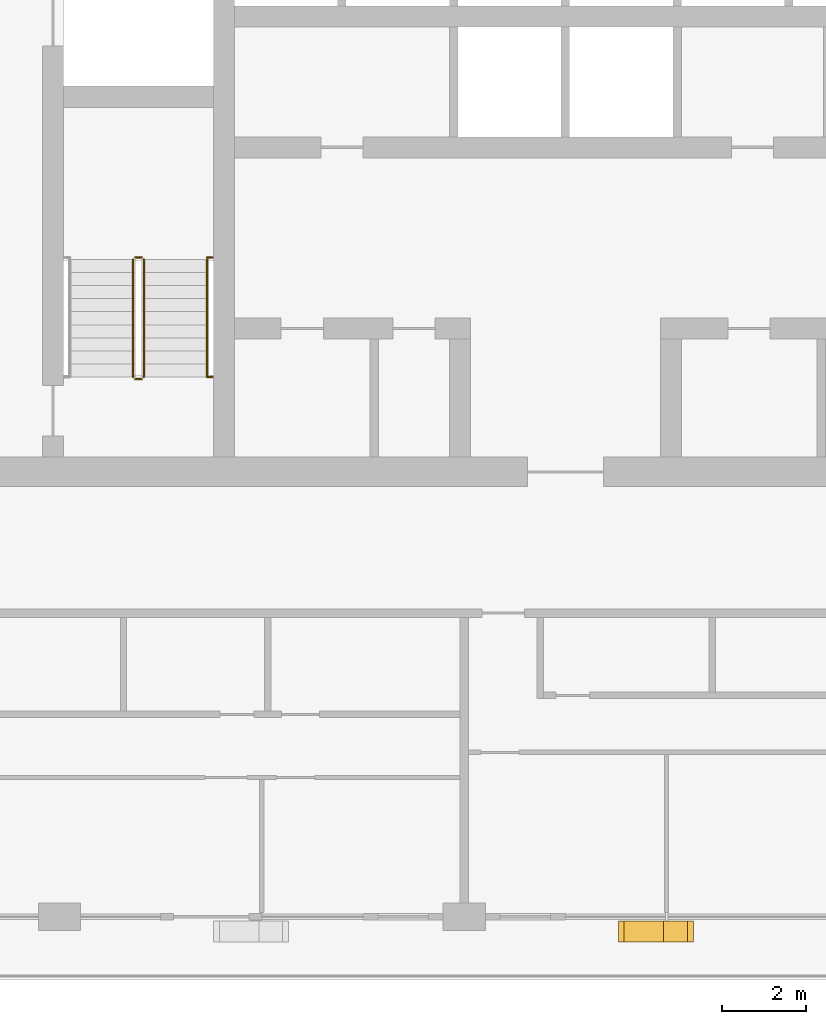
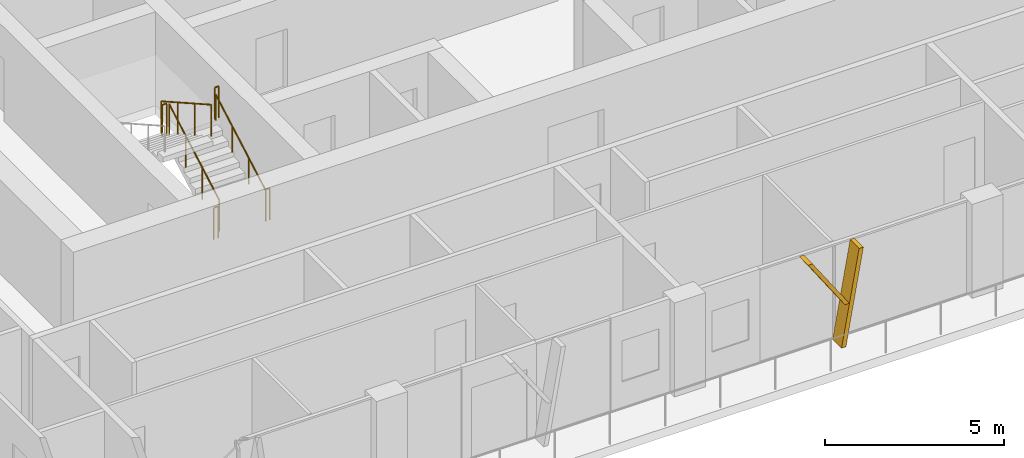
# One storey, part 18 of 23: 7 railings, 2 shading devices.
"""IFC4 building model written with IfcOpenShell, lengths in metres."""

from ifc_helpers import new_model, si_unit, direction, frame, origin, origin_2d, place, context, subcontext, project, spatial, polyline, circle, outline, extrude, material, type_object, element, save


model = new_model("IFC4")

# Units and contexts
model_context = context("Model", 3, precision=1e-05, world=origin(), true_north=direction((0.0, 1.0)))
body_context = subcontext(model_context, "Body", "Model", "MODEL_VIEW")
ifc_project = project(units=[si_unit("LENGTHUNIT", "METRE"), si_unit("AREAUNIT", "SQUARE_METRE"), si_unit("VOLUMEUNIT", "CUBIC_METRE"), si_unit("PLANEANGLEUNIT", "RADIAN"), si_unit("MASSUNIT", "GRAM", prefix="KILO")], contexts=[model_context])

# Site, building, storey
site_placement = place(None, origin())
site = spatial("IfcSite", under=ifc_project, at=site_placement, CompositionType="ELEMENT")
building_placement = place(site_placement, origin())
building = spatial("IfcBuilding", under=site, at=building_placement, Name="Madar Terraces", CompositionType="ELEMENT")
storey_placement = place(building_placement, frame((0.0, 0.0, 215.800048828125)))
storey = spatial("IfcBuildingStorey", under=building, at=storey_placement, Name="L56", CompositionType="ELEMENT", Elevation=215.800048828125)

# Shading devices
ifc_material_1 = material(Name="Aluminium, black anodised", Category="aluminium")
shading_device_type = type_object("IfcShadingDeviceType", Name="Facade fin blade 140 x 500", PredefinedType="USERDEFINED", material=ifc_material_1)
shading_device_1_placement = place(storey_placement, frame((33.530029296875, 4.449951171875, 0.0), z_axis=(0.0, 0.0, 1.0), x_axis=(1.0, 0.0, 0.0)))
element("IfcShadingDevice", 1, at=shading_device_1_placement, inside=storey, type_object=shading_device_type, Name="FIN L56 S3", ObjectType="FIN", PredefinedType="USERDEFINED", context=body_context, shape_type="SweptSolid", body=[
    extrude(outline(polyline([(0.0, 0.0), (0.139892578125, 0.0), (0.704345703125, 3.199951171875), (0.564208984375, 3.199951171875), (0.0, 0.0)])), frame((0.0, 0.25, 0.0), z_axis=(0.0, -1.0, 0.0), x_axis=(1.0, 0.0, 0.0)), (0.0, 0.0, 1.0), 0.5),
])
shading_device_2_placement = place(storey_placement, frame((33.643798828125, 4.449951171875, 1.43994140625), z_axis=(0.0, 0.0, 1.0), x_axis=(1.0, 0.0, 0.0)))
element("IfcShadingDevice", 2, at=shading_device_2_placement, inside=storey, type_object=shading_device_type, Name="FIN L56 S3 branch", ObjectType="FIN", PredefinedType="USERDEFINED", context=body_context, shape_type="SweptSolid", body=[
    extrude(outline(polyline([(0.0, 0.0), (0.14013671875, 0.0), (-1.049560546875, 1.760009765625), (-1.189697265625, 1.760009765625), (0.0, 0.0)])), frame((0.0, 0.25, 0.0), z_axis=(0.0, -1.0, 0.0), x_axis=(1.0, 0.0, 0.0)), (0.0, 0.0, 1.0), 0.5),
])

# Railings
ifc_material_2 = material(Name="Stainless steel railing", Category="steel")
railing_type_1 = type_object("IfcRailingType", Name="Stair guard 1100", PredefinedType="GUARDRAIL", material=ifc_material_2)
railing_1_placement = place(storey_placement, frame((21.199951171875, 17.60009765625, 0.175048828125)))
element("IfcRailing", 3, at=railing_1_placement, inside=storey, type_object=railing_type_1, Name="L56 ST1 stair guard 1", PredefinedType="GUARDRAIL", context=body_context, shape_type="SweptSolid", body=[
    extrude(circle(Radius=0.02392578125, at=origin_2d()), frame((0.0, 0.0, 1.076171875), z_axis=(0.0, 0.870815363784, 0.491610213684), x_axis=(-1.0, 0.0, 0.0)), (0.0, 0.0, 1.0), 3.20361328125),
    extrude(circle(Radius=0.02099609375, at=origin_2d()), origin(), (0.0, 0.0, 1.0), 1.052001953125),
    extrude(circle(Radius=0.02099609375, at=origin_2d()), frame((0.0, 0.929931640625, 0.52490234375)), (0.0, 0.0, 1.0), 1.052001953125),
    extrude(circle(Radius=0.02099609375, at=origin_2d()), frame((0.0, 1.85986328125, 1.050048828125)), (0.0, 0.0, 1.0), 1.052001953125),
    extrude(circle(Radius=0.02099609375, at=origin_2d()), frame((0.0, 2.789794921875, 1.574951171875)), (0.0, 0.0, 1.0), 1.052001953125),
])
railing_2_placement = place(storey_placement, frame((21.14990234375, 20.43994140625, 1.75)))
element("IfcRailing", 4, at=railing_2_placement, inside=storey, type_object=railing_type_1, Name="L56 ST1 stair guard 2", PredefinedType="GUARDRAIL", context=body_context, shape_type="SweptSolid", body=[
    extrude(circle(Radius=0.02392578125, at=origin_2d()), frame((0.0, 0.0, 1.076171875), z_axis=(-1.0, 0.0, 0.0), x_axis=(0.0, -1.0, 0.0)), (0.0, 0.0, 1.0), 0.14990234375),
    extrude(circle(Radius=0.02099609375, at=origin_2d()), origin(), (0.0, 0.0, 1.0), 1.052001953125),
    extrude(circle(Radius=0.02099609375, at=origin_2d()), frame((-0.14990234375, 0.0, 0.0)), (0.0, 0.0, 1.0), 1.052001953125),
])
railing_3_placement = place(storey_placement, frame((20.949951171875, 20.389892578125, 1.925048828125)))
element("IfcRailing", 5, at=railing_3_placement, inside=storey, type_object=railing_type_1, Name="L56 ST1 stair guard 3", PredefinedType="GUARDRAIL", context=body_context, shape_type="SweptSolid", body=[
    extrude(circle(Radius=0.02392578125, at=origin_2d()), frame((0.0, 0.0, 1.076171875), z_axis=(0.0, -0.870815363784, 0.491610213684), x_axis=(1.0, 0.0, 0.0)), (0.0, 0.0, 1.0), 3.20361328125),
    extrude(circle(Radius=0.02099609375, at=origin_2d()), origin(), (0.0, 0.0, 1.0), 1.052001953125),
    extrude(circle(Radius=0.02099609375, at=origin_2d()), frame((0.0, -0.929931640625, 0.52490234375)), (0.0, 0.0, 1.0), 1.052001953125),
    extrude(circle(Radius=0.02099609375, at=origin_2d()), frame((0.0, -1.85986328125, 1.050048828125)), (0.0, 0.0, 1.0), 1.052001953125),
    extrude(circle(Radius=0.02099609375, at=origin_2d()), frame((0.0, -2.789794921875, 1.574951171875)), (0.0, 0.0, 1.0), 1.052001953125),
])
railing_4_placement = place(storey_placement, frame((21.14990234375, 17.550048828125, 0.0)))
element("IfcRailing", 6, at=railing_4_placement, inside=storey, type_object=railing_type_1, Name="L56 ST1 stair guard 4", PredefinedType="GUARDRAIL", context=body_context, shape_type="SweptSolid", body=[
    extrude(circle(Radius=0.02392578125, at=origin_2d()), frame((0.0, 0.0, 1.076171875), z_axis=(-1.0, 0.0, 0.0), x_axis=(0.0, -1.0, 0.0)), (0.0, 0.0, 1.0), 0.14990234375),
    extrude(circle(Radius=0.02099609375, at=origin_2d()), origin(), (0.0, 0.0, 1.0), 1.052001953125),
    extrude(circle(Radius=0.02099609375, at=origin_2d()), frame((-0.14990234375, 0.0, 0.0)), (0.0, 0.0, 1.0), 1.052001953125),
])
for number, where, name in (
    (7, (22.699951171875, 20.43994140625, 1.75), "L56 stair guard seat 2"),
    (8, (22.699951171875, 17.60009765625, 0.0), "L56 stair guard floor 2"),
):
    element("IfcRailing", number, at=place(storey_placement, frame(where)), inside=storey, type_object=railing_type_1, Name=name, PredefinedType="GUARDRAIL", context=body_context, shape_type="SweptSolid", body=[
        extrude(circle(Radius=0.02392578125, at=origin_2d()), frame((0.0, 0.0, 1.076171875), z_axis=(1.0, 0.0, 0.0), x_axis=(0.0, 1.0, 0.0)), (0.0, 0.0, 1.0), 0.130126953125),
        extrude(circle(Radius=0.02099609375, at=origin_2d()), origin(), (0.0, 0.0, 1.0), 1.052001953125),
        extrude(circle(Radius=0.02099609375, at=origin_2d()), frame((0.130126953125, 0.0, 0.0)), (0.0, 0.0, 1.0), 1.052001953125),
    ])
ifc_material_3 = material(Name="Stainless steel railing", Category="steel")
railing_type_2 = type_object("IfcRailingType", Name="Stair handrail 900", PredefinedType="HANDRAIL", material=ifc_material_3)
railing_5_placement = place(storey_placement, frame((22.699951171875, 17.60009765625, 0.175048828125)))
element("IfcRailing", 9, at=railing_5_placement, inside=storey, type_object=railing_type_2, Name="L56 ST1 stair handrail 1", PredefinedType="HANDRAIL", context=body_context, shape_type="SweptSolid", body=[
    extrude(circle(Radius=0.02392578125, at=origin_2d()), frame((0.0, 0.0, 0.8759765625), z_axis=(0.0, 0.870815363784, 0.491610213684), x_axis=(-1.0, 0.0, 0.0)), (0.0, 0.0, 1.0), 3.20361328125),
    extrude(circle(Radius=0.02099609375, at=origin_2d()), origin(), (0.0, 0.0, 1.0), 0.851806640625),
    extrude(circle(Radius=0.02099609375, at=origin_2d()), frame((0.0, 0.929931640625, 0.52490234375)), (0.0, 0.0, 1.0), 0.851806640625),
    extrude(circle(Radius=0.02099609375, at=origin_2d()), frame((0.0, 1.85986328125, 1.050048828125)), (0.0, 0.0, 1.0), 0.851806640625),
    extrude(circle(Radius=0.02099609375, at=origin_2d()), frame((0.0, 2.789794921875, 1.574951171875)), (0.0, 0.0, 1.0), 0.851806640625),
])

save(model, "model.ifc")
